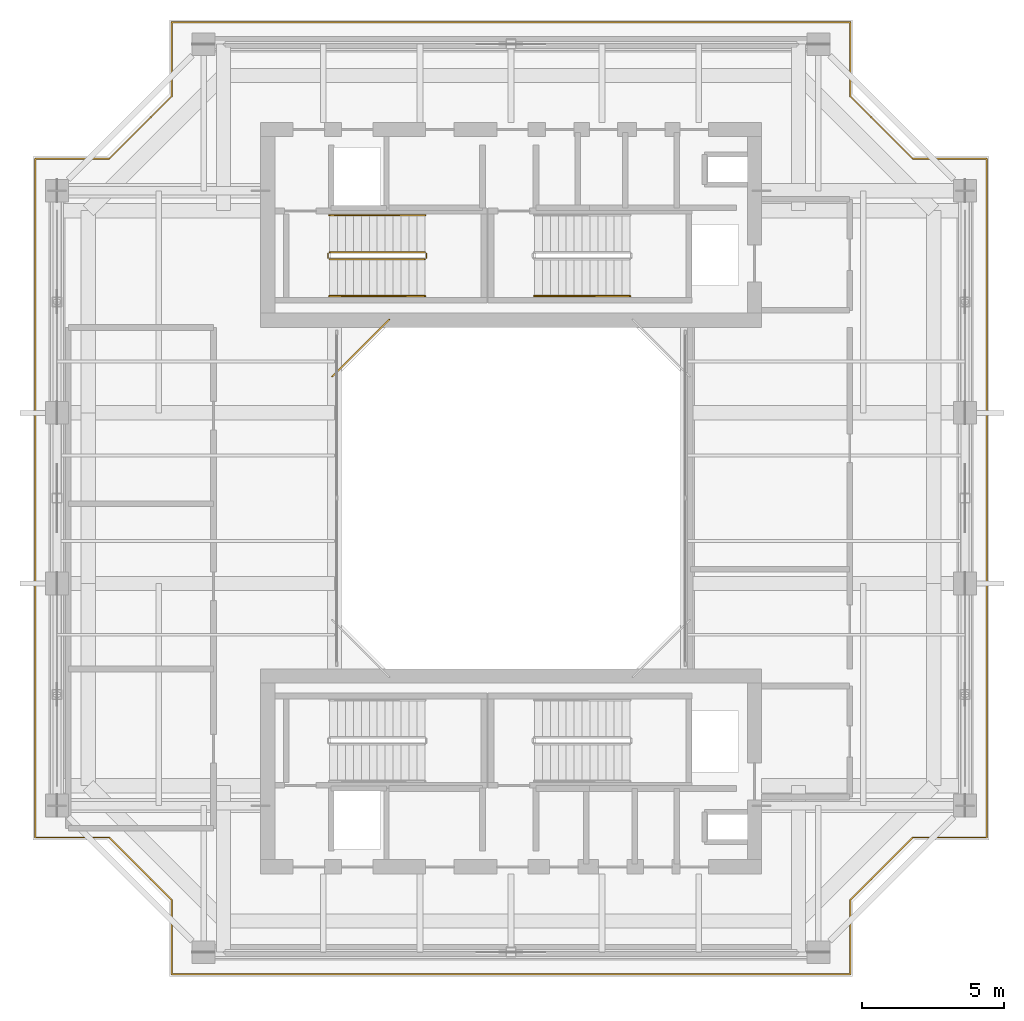
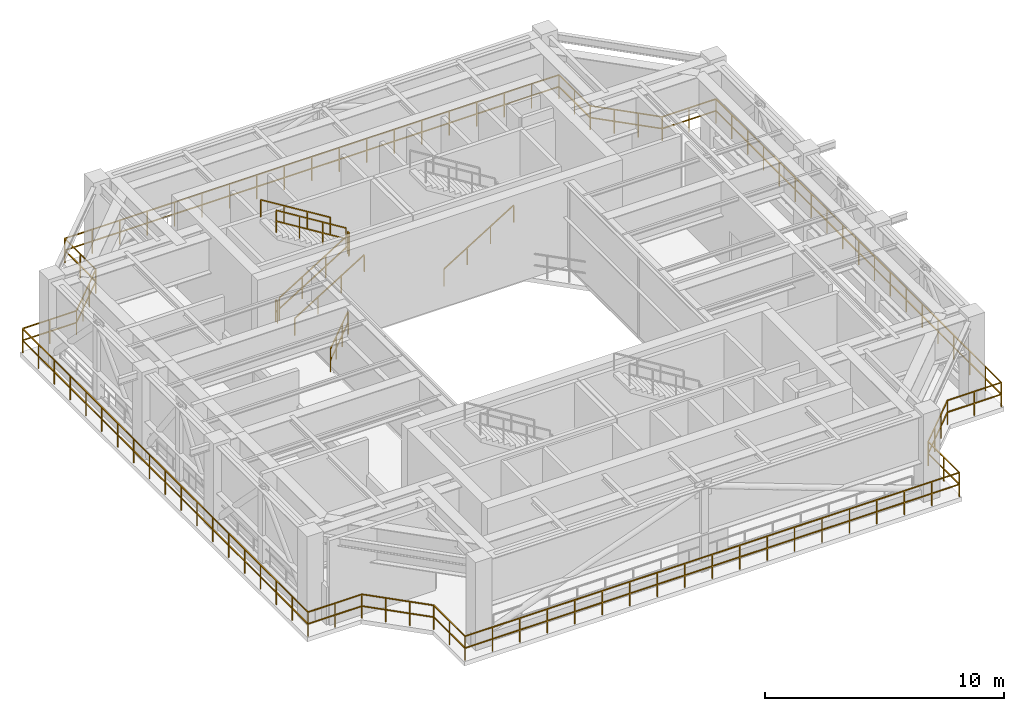
# One storey, part 9 of 10: 9 railings.
"""IFC4 building model written with IfcOpenShell, lengths in metres."""

from ifc_helpers import new_model, si_unit, direction, frame, origin, origin_2d, place, context, subcontext, project, spatial, rectangle, extrude, material, type_object, element, save


model = new_model("IFC4")

# Units and contexts
model_context = context("Model", 3, precision=1e-05, world=origin(), true_north=direction((0.0, 1.0)))
body_context = subcontext(model_context, "Body", "Model", "MODEL_VIEW")
ifc_project = project(units=[si_unit("LENGTHUNIT", "METRE"), si_unit("AREAUNIT", "SQUARE_METRE"), si_unit("VOLUMEUNIT", "CUBIC_METRE"), si_unit("PLANEANGLEUNIT", "RADIAN"), si_unit("MASSUNIT", "GRAM", prefix="KILO"), si_unit("THERMODYNAMICTEMPERATUREUNIT", "KELVIN"), si_unit("POWERUNIT", "WATT")], contexts=[model_context])

# Site, building, storey
site_placement = place(None, origin())
site = spatial("IfcSite", under=ifc_project, at=site_placement, CompositionType="ELEMENT")
building_placement = place(site_placement, origin())
building = spatial("IfcBuilding", under=site, at=building_placement, Name="Qiaomeng Ring Towers", CompositionType="ELEMENT")
storey_placement = place(building_placement, frame((0.0, 0.0, 232.75)))
storey = spatial("IfcBuildingStorey", under=building, at=storey_placement, Name="L68", CompositionType="ELEMENT", Elevation=232.75)

# Railings
ifc_material_1 = material(Name="Low-E pale-green laminated safety glass", Category="glass")
railing_type_1 = type_object("IfcRailingType", Name="ARC-RL-BAL1", PredefinedType="BALUSTRADE", material=ifc_material_1)
railing_1_placement = place(storey_placement, frame((14.719970703125, 29.280029296875, 0.0)))
element("IfcRailing", 1, at=railing_1_placement, inside=storey, type_object=railing_type_1, Name="L68 Balustrade ARC-BAL-WELL1-L68-3", PredefinedType="BALUSTRADE", context=body_context, shape_type="SweptSolid", body=[
    extrude(rectangle(XDim=0.048095703125, YDim=0.048095703125, at=origin_2d()), frame((0.0, 0.0, 1.17578125), z_axis=(-0.707106781187, -0.707106781187, 0.0), x_axis=(0.707106781187, -0.707106781187, 0.0)), (0.0, 0.0, 1.0), 2.828369140625),
    extrude(rectangle(XDim=0.048095703125, YDim=0.048095703125, at=origin_2d()), frame((0.0, 0.0, 0.60009765625), z_axis=(-0.707106781187, -0.707106781187, 0.0), x_axis=(0.707106781187, -0.707106781187, 0.0)), (0.0, 0.0, 1.0), 2.828369140625),
    extrude(rectangle(XDim=0.0419921875, YDim=0.0419921875, at=origin_2d()), origin(), (0.0, 0.0, 1.0), 1.15185546875),
    extrude(rectangle(XDim=0.0419921875, YDim=0.0419921875, at=origin_2d()), frame((-0.666748046875, -0.666748046875, 0.0)), (0.0, 0.0, 1.0), 1.15185546875),
    extrude(rectangle(XDim=0.0419921875, YDim=0.0419921875, at=origin_2d()), frame((-1.333251953125, -1.333251953125, 0.0)), (0.0, 0.0, 1.0), 1.15185546875),
    extrude(rectangle(XDim=0.0419921875, YDim=0.0419921875, at=origin_2d()), frame((-2.0, -2.0, 0.0)), (0.0, 0.0, 1.0), 1.15185546875),
])
ifc_material_2 = material(Name="Stainless steel 316", Category="steel")
railing_type_2 = type_object("IfcRailingType", Name="ARC-RL-BAL2", PredefinedType="BALUSTRADE", material=ifc_material_2)
railing_2_placement = place(storey_placement, frame((7.080078125, 6.280029296875, 0.0)))
element("IfcRailing", 2, at=railing_2_placement, inside=storey, type_object=railing_type_2, Name="L68 Balustrade ARC-BAL-REF-RING-L68", PredefinedType="BALUSTRADE", context=body_context, shape_type="SweptSolid", body=[
    extrude(rectangle(XDim=0.048095703125, YDim=0.048095703125, at=origin_2d()), frame((0.0, 0.0, 1.22607421875), z_axis=(1.0, 0.0, 0.0), x_axis=(0.0, 1.0, 0.0)), (0.0, 0.0, 1.0), 23.83984375),
    extrude(rectangle(XDim=0.048095703125, YDim=0.048095703125, at=origin_2d()), frame((0.0, 0.0, 0.625), z_axis=(1.0, 0.0, 0.0), x_axis=(0.0, 1.0, 0.0)), (0.0, 0.0, 1.0), 23.83984375),
    extrude(rectangle(XDim=0.048095703125, YDim=0.048095703125, at=origin_2d()), frame((23.83984375, 0.0, 1.22607421875), z_axis=(0.0, 1.0, 0.0), x_axis=(-1.0, 0.0, 0.0)), (0.0, 0.0, 1.0), 2.599853515625),
    extrude(rectangle(XDim=0.048095703125, YDim=0.048095703125, at=origin_2d()), frame((23.83984375, 0.0, 0.625), z_axis=(0.0, 1.0, 0.0), x_axis=(-1.0, 0.0, 0.0)), (0.0, 0.0, 1.0), 2.599853515625),
    extrude(rectangle(XDim=0.048095703125, YDim=0.048095703125, at=origin_2d()), frame((23.83984375, 2.599853515625, 1.22607421875), z_axis=(0.707106781187, 0.707106781187, 0.0), x_axis=(-0.707106781187, 0.707106781187, 0.0)), (0.0, 0.0, 1.0), 3.111572265625),
    extrude(rectangle(XDim=0.048095703125, YDim=0.048095703125, at=origin_2d()), frame((23.83984375, 2.599853515625, 0.625), z_axis=(0.707106781187, 0.707106781187, 0.0), x_axis=(-0.707106781187, 0.707106781187, 0.0)), (0.0, 0.0, 1.0), 3.111572265625),
    extrude(rectangle(XDim=0.048095703125, YDim=0.048095703125, at=origin_2d()), frame((26.0400390625, 4.800048828125, 1.22607421875), z_axis=(1.0, 0.0, 0.0), x_axis=(0.0, 1.0, 0.0)), (0.0, 0.0, 1.0), 2.599853515625),
    extrude(rectangle(XDim=0.048095703125, YDim=0.048095703125, at=origin_2d()), frame((26.0400390625, 4.800048828125, 0.625), z_axis=(1.0, 0.0, 0.0), x_axis=(0.0, 1.0, 0.0)), (0.0, 0.0, 1.0), 2.599853515625),
    extrude(rectangle(XDim=0.048095703125, YDim=0.048095703125, at=origin_2d()), frame((28.639892578125, 4.800048828125, 1.22607421875), z_axis=(0.0, 1.0, 0.0), x_axis=(-1.0, 0.0, 0.0)), (0.0, 0.0, 1.0), 23.83984375),
    extrude(rectangle(XDim=0.048095703125, YDim=0.048095703125, at=origin_2d()), frame((28.639892578125, 4.800048828125, 0.625), z_axis=(0.0, 1.0, 0.0), x_axis=(-1.0, 0.0, 0.0)), (0.0, 0.0, 1.0), 23.83984375),
    extrude(rectangle(XDim=0.048095703125, YDim=0.048095703125, at=origin_2d()), frame((28.639892578125, 28.639892578125, 1.22607421875), z_axis=(-1.0, 0.0, 0.0), x_axis=(0.0, -1.0, 0.0)), (0.0, 0.0, 1.0), 2.599853515625),
    extrude(rectangle(XDim=0.048095703125, YDim=0.048095703125, at=origin_2d()), frame((28.639892578125, 28.639892578125, 0.625), z_axis=(-1.0, 0.0, 0.0), x_axis=(0.0, -1.0, 0.0)), (0.0, 0.0, 1.0), 2.599853515625),
    extrude(rectangle(XDim=0.048095703125, YDim=0.048095703125, at=origin_2d()), frame((26.0400390625, 28.639892578125, 1.22607421875), z_axis=(-0.707106781187, 0.707106781187, 0.0), x_axis=(-0.707106781187, -0.707106781187, 0.0)), (0.0, 0.0, 1.0), 3.111572265625),
    extrude(rectangle(XDim=0.048095703125, YDim=0.048095703125, at=origin_2d()), frame((26.0400390625, 28.639892578125, 0.625), z_axis=(-0.707106781187, 0.707106781187, 0.0), x_axis=(-0.707106781187, -0.707106781187, 0.0)), (0.0, 0.0, 1.0), 3.111572265625),
    extrude(rectangle(XDim=0.048095703125, YDim=0.048095703125, at=origin_2d()), frame((23.83984375, 30.840087890625, 1.22607421875), z_axis=(0.0, 1.0, 0.0), x_axis=(-1.0, 0.0, 0.0)), (0.0, 0.0, 1.0), 2.599853515625),
    extrude(rectangle(XDim=0.048095703125, YDim=0.048095703125, at=origin_2d()), frame((23.83984375, 30.840087890625, 0.625), z_axis=(0.0, 1.0, 0.0), x_axis=(-1.0, 0.0, 0.0)), (0.0, 0.0, 1.0), 2.599853515625),
    extrude(rectangle(XDim=0.048095703125, YDim=0.048095703125, at=origin_2d()), frame((23.83984375, 33.43994140625, 1.22607421875), z_axis=(-1.0, 0.0, 0.0), x_axis=(0.0, -1.0, 0.0)), (0.0, 0.0, 1.0), 23.83984375),
    extrude(rectangle(XDim=0.048095703125, YDim=0.048095703125, at=origin_2d()), frame((23.83984375, 33.43994140625, 0.625), z_axis=(-1.0, 0.0, 0.0), x_axis=(0.0, -1.0, 0.0)), (0.0, 0.0, 1.0), 23.83984375),
    extrude(rectangle(XDim=0.048095703125, YDim=0.048095703125, at=origin_2d()), frame((0.0, 33.43994140625, 1.22607421875), z_axis=(0.0, -1.0, 0.0), x_axis=(1.0, 0.0, 0.0)), (0.0, 0.0, 1.0), 2.599853515625),
    extrude(rectangle(XDim=0.048095703125, YDim=0.048095703125, at=origin_2d()), frame((0.0, 33.43994140625, 0.625), z_axis=(0.0, -1.0, 0.0), x_axis=(1.0, 0.0, 0.0)), (0.0, 0.0, 1.0), 2.599853515625),
    extrude(rectangle(XDim=0.048095703125, YDim=0.048095703125, at=origin_2d()), frame((0.0, 30.840087890625, 1.22607421875), z_axis=(-0.707106781187, -0.707106781187, 0.0), x_axis=(0.707106781187, -0.707106781187, 0.0)), (0.0, 0.0, 1.0), 3.111572265625),
    extrude(rectangle(XDim=0.048095703125, YDim=0.048095703125, at=origin_2d()), frame((0.0, 30.840087890625, 0.625), z_axis=(-0.707106781187, -0.707106781187, 0.0), x_axis=(0.707106781187, -0.707106781187, 0.0)), (0.0, 0.0, 1.0), 3.111572265625),
    extrude(rectangle(XDim=0.048095703125, YDim=0.048095703125, at=origin_2d()), frame((-2.2001953125, 28.639892578125, 1.22607421875), z_axis=(-1.0, 0.0, 0.0), x_axis=(0.0, -1.0, 0.0)), (0.0, 0.0, 1.0), 2.599853515625),
    extrude(rectangle(XDim=0.048095703125, YDim=0.048095703125, at=origin_2d()), frame((-2.2001953125, 28.639892578125, 0.625), z_axis=(-1.0, 0.0, 0.0), x_axis=(0.0, -1.0, 0.0)), (0.0, 0.0, 1.0), 2.599853515625),
    extrude(rectangle(XDim=0.048095703125, YDim=0.048095703125, at=origin_2d()), frame((-4.800048828125, 28.639892578125, 1.22607421875), z_axis=(0.0, -1.0, 0.0), x_axis=(1.0, 0.0, 0.0)), (0.0, 0.0, 1.0), 23.83984375),
    extrude(rectangle(XDim=0.048095703125, YDim=0.048095703125, at=origin_2d()), frame((-4.800048828125, 28.639892578125, 0.625), z_axis=(0.0, -1.0, 0.0), x_axis=(1.0, 0.0, 0.0)), (0.0, 0.0, 1.0), 23.83984375),
    extrude(rectangle(XDim=0.048095703125, YDim=0.048095703125, at=origin_2d()), frame((-4.800048828125, 4.800048828125, 1.22607421875), z_axis=(1.0, 0.0, 0.0), x_axis=(0.0, 1.0, 0.0)), (0.0, 0.0, 1.0), 2.599853515625),
    extrude(rectangle(XDim=0.048095703125, YDim=0.048095703125, at=origin_2d()), frame((-4.800048828125, 4.800048828125, 0.625), z_axis=(1.0, 0.0, 0.0), x_axis=(0.0, 1.0, 0.0)), (0.0, 0.0, 1.0), 2.599853515625),
    extrude(rectangle(XDim=0.048095703125, YDim=0.048095703125, at=origin_2d()), frame((-2.2001953125, 4.800048828125, 1.22607421875), z_axis=(0.707106781187, -0.707106781187, 0.0), x_axis=(0.707106781187, 0.707106781187, 0.0)), (0.0, 0.0, 1.0), 3.111572265625),
    extrude(rectangle(XDim=0.048095703125, YDim=0.048095703125, at=origin_2d()), frame((-2.2001953125, 4.800048828125, 0.625), z_axis=(0.707106781187, -0.707106781187, 0.0), x_axis=(0.707106781187, 0.707106781187, 0.0)), (0.0, 0.0, 1.0), 3.111572265625),
    extrude(rectangle(XDim=0.048095703125, YDim=0.048095703125, at=origin_2d()), frame((0.0, 2.599853515625, 1.22607421875), z_axis=(0.0, -1.0, 0.0), x_axis=(1.0, 0.0, 0.0)), (0.0, 0.0, 1.0), 2.599853515625),
    extrude(rectangle(XDim=0.048095703125, YDim=0.048095703125, at=origin_2d()), frame((0.0, 2.599853515625, 0.625), z_axis=(0.0, -1.0, 0.0), x_axis=(1.0, 0.0, 0.0)), (0.0, 0.0, 1.0), 2.599853515625),
    extrude(rectangle(XDim=0.0419921875, YDim=0.0419921875, at=origin_2d()), origin(), (0.0, 0.0, 1.0), 1.201904296875),
    extrude(rectangle(XDim=0.0419921875, YDim=0.0419921875, at=origin_2d()), frame((1.324462890625, 0.0, 0.0)), (0.0, 0.0, 1.0), 1.201904296875),
    extrude(rectangle(XDim=0.0419921875, YDim=0.0419921875, at=origin_2d()), frame((2.64892578125, 0.0, 0.0)), (0.0, 0.0, 1.0), 1.201904296875),
    extrude(rectangle(XDim=0.0419921875, YDim=0.0419921875, at=origin_2d()), frame((3.973388671875, 0.0, 0.0)), (0.0, 0.0, 1.0), 1.201904296875),
    extrude(rectangle(XDim=0.0419921875, YDim=0.0419921875, at=origin_2d()), frame((5.2978515625, 0.0, 0.0)), (0.0, 0.0, 1.0), 1.201904296875),
    extrude(rectangle(XDim=0.0419921875, YDim=0.0419921875, at=origin_2d()), frame((6.6220703125, 0.0, 0.0)), (0.0, 0.0, 1.0), 1.201904296875),
    extrude(rectangle(XDim=0.0419921875, YDim=0.0419921875, at=origin_2d()), frame((7.946533203125, 0.0, 0.0)), (0.0, 0.0, 1.0), 1.201904296875),
    extrude(rectangle(XDim=0.0419921875, YDim=0.0419921875, at=origin_2d()), frame((9.27099609375, 0.0, 0.0)), (0.0, 0.0, 1.0), 1.201904296875),
    extrude(rectangle(XDim=0.0419921875, YDim=0.0419921875, at=origin_2d()), frame((10.595458984375, 0.0, 0.0)), (0.0, 0.0, 1.0), 1.201904296875),
    extrude(rectangle(XDim=0.0419921875, YDim=0.0419921875, at=origin_2d()), frame((11.919921875, 0.0, 0.0)), (0.0, 0.0, 1.0), 1.201904296875),
    extrude(rectangle(XDim=0.0419921875, YDim=0.0419921875, at=origin_2d()), frame((13.244384765625, 0.0, 0.0)), (0.0, 0.0, 1.0), 1.201904296875),
    extrude(rectangle(XDim=0.0419921875, YDim=0.0419921875, at=origin_2d()), frame((14.56884765625, 0.0, 0.0)), (0.0, 0.0, 1.0), 1.201904296875),
    extrude(rectangle(XDim=0.0419921875, YDim=0.0419921875, at=origin_2d()), frame((15.893310546875, 0.0, 0.0)), (0.0, 0.0, 1.0), 1.201904296875),
    extrude(rectangle(XDim=0.0419921875, YDim=0.0419921875, at=origin_2d()), frame((17.2177734375, 0.0, 0.0)), (0.0, 0.0, 1.0), 1.201904296875),
    extrude(rectangle(XDim=0.0419921875, YDim=0.0419921875, at=origin_2d()), frame((18.5419921875, 0.0, 0.0)), (0.0, 0.0, 1.0), 1.201904296875),
    extrude(rectangle(XDim=0.0419921875, YDim=0.0419921875, at=origin_2d()), frame((19.866455078125, 0.0, 0.0)), (0.0, 0.0, 1.0), 1.201904296875),
    extrude(rectangle(XDim=0.0419921875, YDim=0.0419921875, at=origin_2d()), frame((21.19091796875, 0.0, 0.0)), (0.0, 0.0, 1.0), 1.201904296875),
    extrude(rectangle(XDim=0.0419921875, YDim=0.0419921875, at=origin_2d()), frame((22.515380859375, 0.0, 0.0)), (0.0, 0.0, 1.0), 1.201904296875),
    extrude(rectangle(XDim=0.0419921875, YDim=0.0419921875, at=origin_2d()), frame((23.83984375, 0.0, 0.0)), (0.0, 0.0, 1.0), 1.201904296875),
    extrude(rectangle(XDim=0.0419921875, YDim=0.0419921875, at=origin_2d()), frame((23.83984375, 1.2998046875, 0.0)), (0.0, 0.0, 1.0), 1.201904296875),
    extrude(rectangle(XDim=0.0419921875, YDim=0.0419921875, at=origin_2d()), frame((23.83984375, 2.599853515625, 0.0)), (0.0, 0.0, 1.0), 1.201904296875),
    extrude(rectangle(XDim=0.0419921875, YDim=0.0419921875, at=origin_2d()), frame((24.5732421875, 3.333251953125, 0.0)), (0.0, 0.0, 1.0), 1.201904296875),
    extrude(rectangle(XDim=0.0419921875, YDim=0.0419921875, at=origin_2d()), frame((25.306640625, 4.066650390625, 0.0)), (0.0, 0.0, 1.0), 1.201904296875),
    extrude(rectangle(XDim=0.0419921875, YDim=0.0419921875, at=origin_2d()), frame((26.0400390625, 4.800048828125, 0.0)), (0.0, 0.0, 1.0), 1.201904296875),
    extrude(rectangle(XDim=0.0419921875, YDim=0.0419921875, at=origin_2d()), frame((27.33984375, 4.800048828125, 0.0)), (0.0, 0.0, 1.0), 1.201904296875),
    extrude(rectangle(XDim=0.0419921875, YDim=0.0419921875, at=origin_2d()), frame((28.639892578125, 4.800048828125, 0.0)), (0.0, 0.0, 1.0), 1.201904296875),
    extrude(rectangle(XDim=0.0419921875, YDim=0.0419921875, at=origin_2d()), frame((28.639892578125, 6.12451171875, 0.0)), (0.0, 0.0, 1.0), 1.201904296875),
    extrude(rectangle(XDim=0.0419921875, YDim=0.0419921875, at=origin_2d()), frame((28.639892578125, 7.448974609375, 0.0)), (0.0, 0.0, 1.0), 1.201904296875),
    extrude(rectangle(XDim=0.0419921875, YDim=0.0419921875, at=origin_2d()), frame((28.639892578125, 8.7734375, 0.0)), (0.0, 0.0, 1.0), 1.201904296875),
    extrude(rectangle(XDim=0.0419921875, YDim=0.0419921875, at=origin_2d()), frame((28.639892578125, 10.097900390625, 0.0)), (0.0, 0.0, 1.0), 1.201904296875),
    extrude(rectangle(XDim=0.0419921875, YDim=0.0419921875, at=origin_2d()), frame((28.639892578125, 11.422119140625, 0.0)), (0.0, 0.0, 1.0), 1.201904296875),
    extrude(rectangle(XDim=0.0419921875, YDim=0.0419921875, at=origin_2d()), frame((28.639892578125, 12.74658203125, 0.0)), (0.0, 0.0, 1.0), 1.201904296875),
    extrude(rectangle(XDim=0.0419921875, YDim=0.0419921875, at=origin_2d()), frame((28.639892578125, 14.071044921875, 0.0)), (0.0, 0.0, 1.0), 1.201904296875),
    extrude(rectangle(XDim=0.0419921875, YDim=0.0419921875, at=origin_2d()), frame((28.639892578125, 15.3955078125, 0.0)), (0.0, 0.0, 1.0), 1.201904296875),
    extrude(rectangle(XDim=0.0419921875, YDim=0.0419921875, at=origin_2d()), frame((28.639892578125, 16.719970703125, 0.0)), (0.0, 0.0, 1.0), 1.201904296875),
    extrude(rectangle(XDim=0.0419921875, YDim=0.0419921875, at=origin_2d()), frame((28.639892578125, 18.04443359375, 0.0)), (0.0, 0.0, 1.0), 1.201904296875),
    extrude(rectangle(XDim=0.0419921875, YDim=0.0419921875, at=origin_2d()), frame((28.639892578125, 19.368896484375, 0.0)), (0.0, 0.0, 1.0), 1.201904296875),
    extrude(rectangle(XDim=0.0419921875, YDim=0.0419921875, at=origin_2d()), frame((28.639892578125, 20.693359375, 0.0)), (0.0, 0.0, 1.0), 1.201904296875),
    extrude(rectangle(XDim=0.0419921875, YDim=0.0419921875, at=origin_2d()), frame((28.639892578125, 22.017822265625, 0.0)), (0.0, 0.0, 1.0), 1.201904296875),
    extrude(rectangle(XDim=0.0419921875, YDim=0.0419921875, at=origin_2d()), frame((28.639892578125, 23.342041015625, 0.0)), (0.0, 0.0, 1.0), 1.201904296875),
    extrude(rectangle(XDim=0.0419921875, YDim=0.0419921875, at=origin_2d()), frame((28.639892578125, 24.66650390625, 0.0)), (0.0, 0.0, 1.0), 1.201904296875),
    extrude(rectangle(XDim=0.0419921875, YDim=0.0419921875, at=origin_2d()), frame((28.639892578125, 25.990966796875, 0.0)), (0.0, 0.0, 1.0), 1.201904296875),
    extrude(rectangle(XDim=0.0419921875, YDim=0.0419921875, at=origin_2d()), frame((28.639892578125, 27.3154296875, 0.0)), (0.0, 0.0, 1.0), 1.201904296875),
    extrude(rectangle(XDim=0.0419921875, YDim=0.0419921875, at=origin_2d()), frame((28.639892578125, 28.639892578125, 0.0)), (0.0, 0.0, 1.0), 1.201904296875),
    extrude(rectangle(XDim=0.0419921875, YDim=0.0419921875, at=origin_2d()), frame((27.33984375, 28.639892578125, 0.0)), (0.0, 0.0, 1.0), 1.201904296875),
    extrude(rectangle(XDim=0.0419921875, YDim=0.0419921875, at=origin_2d()), frame((26.0400390625, 28.639892578125, 0.0)), (0.0, 0.0, 1.0), 1.201904296875),
    extrude(rectangle(XDim=0.0419921875, YDim=0.0419921875, at=origin_2d()), frame((25.306640625, 29.373291015625, 0.0)), (0.0, 0.0, 1.0), 1.201904296875),
    extrude(rectangle(XDim=0.0419921875, YDim=0.0419921875, at=origin_2d()), frame((24.5732421875, 30.106689453125, 0.0)), (0.0, 0.0, 1.0), 1.201904296875),
    extrude(rectangle(XDim=0.0419921875, YDim=0.0419921875, at=origin_2d()), frame((23.83984375, 30.840087890625, 0.0)), (0.0, 0.0, 1.0), 1.201904296875),
    extrude(rectangle(XDim=0.0419921875, YDim=0.0419921875, at=origin_2d()), frame((23.83984375, 32.14013671875, 0.0)), (0.0, 0.0, 1.0), 1.201904296875),
    extrude(rectangle(XDim=0.0419921875, YDim=0.0419921875, at=origin_2d()), frame((23.83984375, 33.43994140625, 0.0)), (0.0, 0.0, 1.0), 1.201904296875),
    extrude(rectangle(XDim=0.0419921875, YDim=0.0419921875, at=origin_2d()), frame((22.515380859375, 33.43994140625, 0.0)), (0.0, 0.0, 1.0), 1.201904296875),
    extrude(rectangle(XDim=0.0419921875, YDim=0.0419921875, at=origin_2d()), frame((21.19091796875, 33.43994140625, 0.0)), (0.0, 0.0, 1.0), 1.201904296875),
    extrude(rectangle(XDim=0.0419921875, YDim=0.0419921875, at=origin_2d()), frame((19.866455078125, 33.43994140625, 0.0)), (0.0, 0.0, 1.0), 1.201904296875),
    extrude(rectangle(XDim=0.0419921875, YDim=0.0419921875, at=origin_2d()), frame((18.5419921875, 33.43994140625, 0.0)), (0.0, 0.0, 1.0), 1.201904296875),
    extrude(rectangle(XDim=0.0419921875, YDim=0.0419921875, at=origin_2d()), frame((17.2177734375, 33.43994140625, 0.0)), (0.0, 0.0, 1.0), 1.201904296875),
    extrude(rectangle(XDim=0.0419921875, YDim=0.0419921875, at=origin_2d()), frame((15.893310546875, 33.43994140625, 0.0)), (0.0, 0.0, 1.0), 1.201904296875),
    extrude(rectangle(XDim=0.0419921875, YDim=0.0419921875, at=origin_2d()), frame((14.56884765625, 33.43994140625, 0.0)), (0.0, 0.0, 1.0), 1.201904296875),
    extrude(rectangle(XDim=0.0419921875, YDim=0.0419921875, at=origin_2d()), frame((13.244384765625, 33.43994140625, 0.0)), (0.0, 0.0, 1.0), 1.201904296875),
    extrude(rectangle(XDim=0.0419921875, YDim=0.0419921875, at=origin_2d()), frame((11.919921875, 33.43994140625, 0.0)), (0.0, 0.0, 1.0), 1.201904296875),
    extrude(rectangle(XDim=0.0419921875, YDim=0.0419921875, at=origin_2d()), frame((10.595458984375, 33.43994140625, 0.0)), (0.0, 0.0, 1.0), 1.201904296875),
    extrude(rectangle(XDim=0.0419921875, YDim=0.0419921875, at=origin_2d()), frame((9.27099609375, 33.43994140625, 0.0)), (0.0, 0.0, 1.0), 1.201904296875),
    extrude(rectangle(XDim=0.0419921875, YDim=0.0419921875, at=origin_2d()), frame((7.946533203125, 33.43994140625, 0.0)), (0.0, 0.0, 1.0), 1.201904296875),
    extrude(rectangle(XDim=0.0419921875, YDim=0.0419921875, at=origin_2d()), frame((6.6220703125, 33.43994140625, 0.0)), (0.0, 0.0, 1.0), 1.201904296875),
    extrude(rectangle(XDim=0.0419921875, YDim=0.0419921875, at=origin_2d()), frame((5.2978515625, 33.43994140625, 0.0)), (0.0, 0.0, 1.0), 1.201904296875),
    extrude(rectangle(XDim=0.0419921875, YDim=0.0419921875, at=origin_2d()), frame((3.973388671875, 33.43994140625, 0.0)), (0.0, 0.0, 1.0), 1.201904296875),
    extrude(rectangle(XDim=0.0419921875, YDim=0.0419921875, at=origin_2d()), frame((2.64892578125, 33.43994140625, 0.0)), (0.0, 0.0, 1.0), 1.201904296875),
    extrude(rectangle(XDim=0.0419921875, YDim=0.0419921875, at=origin_2d()), frame((1.324462890625, 33.43994140625, 0.0)), (0.0, 0.0, 1.0), 1.201904296875),
    extrude(rectangle(XDim=0.0419921875, YDim=0.0419921875, at=origin_2d()), frame((0.0, 33.43994140625, 0.0)), (0.0, 0.0, 1.0), 1.201904296875),
    extrude(rectangle(XDim=0.0419921875, YDim=0.0419921875, at=origin_2d()), frame((0.0, 32.14013671875, 0.0)), (0.0, 0.0, 1.0), 1.201904296875),
    extrude(rectangle(XDim=0.0419921875, YDim=0.0419921875, at=origin_2d()), frame((0.0, 30.840087890625, 0.0)), (0.0, 0.0, 1.0), 1.201904296875),
    extrude(rectangle(XDim=0.0419921875, YDim=0.0419921875, at=origin_2d()), frame((-0.7333984375, 30.106689453125, 0.0)), (0.0, 0.0, 1.0), 1.201904296875),
    extrude(rectangle(XDim=0.0419921875, YDim=0.0419921875, at=origin_2d()), frame((-1.466796875, 29.373291015625, 0.0)), (0.0, 0.0, 1.0), 1.201904296875),
    extrude(rectangle(XDim=0.0419921875, YDim=0.0419921875, at=origin_2d()), frame((-2.2001953125, 28.639892578125, 0.0)), (0.0, 0.0, 1.0), 1.201904296875),
    extrude(rectangle(XDim=0.0419921875, YDim=0.0419921875, at=origin_2d()), frame((-3.5, 28.639892578125, 0.0)), (0.0, 0.0, 1.0), 1.201904296875),
    extrude(rectangle(XDim=0.0419921875, YDim=0.0419921875, at=origin_2d()), frame((-4.800048828125, 28.639892578125, 0.0)), (0.0, 0.0, 1.0), 1.201904296875),
    extrude(rectangle(XDim=0.0419921875, YDim=0.0419921875, at=origin_2d()), frame((-4.800048828125, 27.3154296875, 0.0)), (0.0, 0.0, 1.0), 1.201904296875),
    extrude(rectangle(XDim=0.0419921875, YDim=0.0419921875, at=origin_2d()), frame((-4.800048828125, 25.990966796875, 0.0)), (0.0, 0.0, 1.0), 1.201904296875),
    extrude(rectangle(XDim=0.0419921875, YDim=0.0419921875, at=origin_2d()), frame((-4.800048828125, 24.66650390625, 0.0)), (0.0, 0.0, 1.0), 1.201904296875),
    extrude(rectangle(XDim=0.0419921875, YDim=0.0419921875, at=origin_2d()), frame((-4.800048828125, 23.342041015625, 0.0)), (0.0, 0.0, 1.0), 1.201904296875),
    extrude(rectangle(XDim=0.0419921875, YDim=0.0419921875, at=origin_2d()), frame((-4.800048828125, 22.017822265625, 0.0)), (0.0, 0.0, 1.0), 1.201904296875),
    extrude(rectangle(XDim=0.0419921875, YDim=0.0419921875, at=origin_2d()), frame((-4.800048828125, 20.693359375, 0.0)), (0.0, 0.0, 1.0), 1.201904296875),
    extrude(rectangle(XDim=0.0419921875, YDim=0.0419921875, at=origin_2d()), frame((-4.800048828125, 19.368896484375, 0.0)), (0.0, 0.0, 1.0), 1.201904296875),
    extrude(rectangle(XDim=0.0419921875, YDim=0.0419921875, at=origin_2d()), frame((-4.800048828125, 18.04443359375, 0.0)), (0.0, 0.0, 1.0), 1.201904296875),
    extrude(rectangle(XDim=0.0419921875, YDim=0.0419921875, at=origin_2d()), frame((-4.800048828125, 16.719970703125, 0.0)), (0.0, 0.0, 1.0), 1.201904296875),
    extrude(rectangle(XDim=0.0419921875, YDim=0.0419921875, at=origin_2d()), frame((-4.800048828125, 15.3955078125, 0.0)), (0.0, 0.0, 1.0), 1.201904296875),
    extrude(rectangle(XDim=0.0419921875, YDim=0.0419921875, at=origin_2d()), frame((-4.800048828125, 14.071044921875, 0.0)), (0.0, 0.0, 1.0), 1.201904296875),
    extrude(rectangle(XDim=0.0419921875, YDim=0.0419921875, at=origin_2d()), frame((-4.800048828125, 12.74658203125, 0.0)), (0.0, 0.0, 1.0), 1.201904296875),
    extrude(rectangle(XDim=0.0419921875, YDim=0.0419921875, at=origin_2d()), frame((-4.800048828125, 11.422119140625, 0.0)), (0.0, 0.0, 1.0), 1.201904296875),
    extrude(rectangle(XDim=0.0419921875, YDim=0.0419921875, at=origin_2d()), frame((-4.800048828125, 10.097900390625, 0.0)), (0.0, 0.0, 1.0), 1.201904296875),
    extrude(rectangle(XDim=0.0419921875, YDim=0.0419921875, at=origin_2d()), frame((-4.800048828125, 8.7734375, 0.0)), (0.0, 0.0, 1.0), 1.201904296875),
    extrude(rectangle(XDim=0.0419921875, YDim=0.0419921875, at=origin_2d()), frame((-4.800048828125, 7.448974609375, 0.0)), (0.0, 0.0, 1.0), 1.201904296875),
    extrude(rectangle(XDim=0.0419921875, YDim=0.0419921875, at=origin_2d()), frame((-4.800048828125, 6.12451171875, 0.0)), (0.0, 0.0, 1.0), 1.201904296875),
    extrude(rectangle(XDim=0.0419921875, YDim=0.0419921875, at=origin_2d()), frame((-4.800048828125, 4.800048828125, 0.0)), (0.0, 0.0, 1.0), 1.201904296875),
    extrude(rectangle(XDim=0.0419921875, YDim=0.0419921875, at=origin_2d()), frame((-3.5, 4.800048828125, 0.0)), (0.0, 0.0, 1.0), 1.201904296875),
    extrude(rectangle(XDim=0.0419921875, YDim=0.0419921875, at=origin_2d()), frame((-2.2001953125, 4.800048828125, 0.0)), (0.0, 0.0, 1.0), 1.201904296875),
    extrude(rectangle(XDim=0.0419921875, YDim=0.0419921875, at=origin_2d()), frame((-1.466796875, 4.066650390625, 0.0)), (0.0, 0.0, 1.0), 1.201904296875),
    extrude(rectangle(XDim=0.0419921875, YDim=0.0419921875, at=origin_2d()), frame((-0.7333984375, 3.333251953125, 0.0)), (0.0, 0.0, 1.0), 1.201904296875),
    extrude(rectangle(XDim=0.0419921875, YDim=0.0419921875, at=origin_2d()), frame((0.0, 2.599853515625, 0.0)), (0.0, 0.0, 1.0), 1.201904296875),
    extrude(rectangle(XDim=0.0419921875, YDim=0.0419921875, at=origin_2d()), frame((0.0, 1.2998046875, 0.0)), (0.0, 0.0, 1.0), 1.201904296875),
])
ifc_material_3 = material(Name="Galvanised steel", Category="steel")
railing_type_3 = type_object("IfcRailingType", Name="ARC-RL-GUARD", PredefinedType="GUARDRAIL", material=ifc_material_3)
railing_3_placement = place(storey_placement, frame((12.6201171875, 31.39990234375, 0.173095703125)))
element("IfcRailing", 3, at=railing_3_placement, inside=storey, type_object=railing_type_3, Name="L68 ST1 stair guard 1", PredefinedType="GUARDRAIL", context=body_context, shape_type="SweptSolid", body=[
    extrude(rectangle(XDim=0.048095703125, YDim=0.048095703125, at=origin_2d()), frame((0.0, 0.0, 1.1259765625), z_axis=(0.850606129759, 0.0, 0.525803396734), x_axis=(0.0, 1.0, 0.0)), (0.0, 0.0, 1.0), 3.949951171875),
    extrude(rectangle(XDim=0.048095703125, YDim=0.048095703125, at=origin_2d()), frame((0.0, 0.0, 0.574951171875), z_axis=(0.850606129759, 0.0, 0.525803396734), x_axis=(0.0, 1.0, 0.0)), (0.0, 0.0, 1.0), 3.949951171875),
    extrude(rectangle(XDim=0.0419921875, YDim=0.0419921875, at=origin_2d()), origin(), (0.0, 0.0, 1.0), 1.101806640625),
    extrude(rectangle(XDim=0.0419921875, YDim=0.0419921875, at=origin_2d()), frame((1.119873046875, 0.0, 0.6923828125)), (0.0, 0.0, 1.0), 1.101806640625),
    extrude(rectangle(XDim=0.0419921875, YDim=0.0419921875, at=origin_2d()), frame((2.239990234375, 0.0, 1.384521484375)), (0.0, 0.0, 1.0), 1.101806640625),
    extrude(rectangle(XDim=0.0419921875, YDim=0.0419921875, at=origin_2d()), frame((3.35986328125, 0.0, 2.076904296875)), (0.0, 0.0, 1.0), 1.101806640625),
])
railing_4_placement = place(storey_placement, frame((16.030029296875, 31.449951171875, 2.25)))
element("IfcRailing", 4, at=railing_4_placement, inside=storey, type_object=railing_type_3, Name="L68 ST1 stair guard 2", PredefinedType="GUARDRAIL", context=body_context, shape_type="SweptSolid", body=[
    extrude(rectangle(XDim=0.048095703125, YDim=0.048095703125, at=origin_2d()), frame((0.0, 0.0, 1.1259765625), z_axis=(0.0, 1.0, 0.0), x_axis=(-1.0, 0.0, 0.0)), (0.0, 0.0, 1.0), 0.14013671875),
    extrude(rectangle(XDim=0.048095703125, YDim=0.048095703125, at=origin_2d()), frame((0.0, 0.0, 0.574951171875), z_axis=(0.0, 1.0, 0.0), x_axis=(-1.0, 0.0, 0.0)), (0.0, 0.0, 1.0), 0.14013671875),
    extrude(rectangle(XDim=0.0419921875, YDim=0.0419921875, at=origin_2d()), origin(), (0.0, 0.0, 1.0), 1.101806640625),
    extrude(rectangle(XDim=0.0419921875, YDim=0.0419921875, at=origin_2d()), frame((0.0, 0.14013671875, 0.0)), (0.0, 0.0, 1.0), 1.101806640625),
])
railing_5_placement = place(storey_placement, frame((15.97998046875, 31.639892578125, 2.423095703125)))
element("IfcRailing", 5, at=railing_5_placement, inside=storey, type_object=railing_type_3, Name="L68 ST1 stair guard 3", PredefinedType="GUARDRAIL", context=body_context, shape_type="SweptSolid", body=[
    extrude(rectangle(XDim=0.048095703125, YDim=0.048095703125, at=origin_2d()), frame((0.0, 0.0, 1.1259765625), z_axis=(-0.850606129759, 0.0, 0.525803396734), x_axis=(0.0, -1.0, 0.0)), (0.0, 0.0, 1.0), 3.949951171875),
    extrude(rectangle(XDim=0.048095703125, YDim=0.048095703125, at=origin_2d()), frame((0.0, 0.0, 0.574951171875), z_axis=(-0.850606129759, 0.0, 0.525803396734), x_axis=(0.0, -1.0, 0.0)), (0.0, 0.0, 1.0), 3.949951171875),
    extrude(rectangle(XDim=0.0419921875, YDim=0.0419921875, at=origin_2d()), origin(), (0.0, 0.0, 1.0), 1.101806640625),
    extrude(rectangle(XDim=0.0419921875, YDim=0.0419921875, at=origin_2d()), frame((-1.119873046875, 0.0, 0.6923828125)), (0.0, 0.0, 1.0), 1.101806640625),
    extrude(rectangle(XDim=0.0419921875, YDim=0.0419921875, at=origin_2d()), frame((-2.239990234375, 0.0, 1.384521484375)), (0.0, 0.0, 1.0), 1.101806640625),
    extrude(rectangle(XDim=0.0419921875, YDim=0.0419921875, at=origin_2d()), frame((-3.35986328125, 0.0, 2.076904296875)), (0.0, 0.0, 1.0), 1.101806640625),
])
railing_6_placement = place(storey_placement, frame((12.570068359375, 31.449951171875, 0.0)))
element("IfcRailing", 6, at=railing_6_placement, inside=storey, type_object=railing_type_3, Name="L68 ST1 stair guard 4", PredefinedType="GUARDRAIL", context=body_context, shape_type="SweptSolid", body=[
    extrude(rectangle(XDim=0.048095703125, YDim=0.048095703125, at=origin_2d()), frame((0.0, 0.0, 1.1259765625), z_axis=(0.0, 1.0, 0.0), x_axis=(-1.0, 0.0, 0.0)), (0.0, 0.0, 1.0), 0.14013671875),
    extrude(rectangle(XDim=0.048095703125, YDim=0.048095703125, at=origin_2d()), frame((0.0, 0.0, 0.574951171875), z_axis=(0.0, 1.0, 0.0), x_axis=(-1.0, 0.0, 0.0)), (0.0, 0.0, 1.0), 0.14013671875),
    extrude(rectangle(XDim=0.0419921875, YDim=0.0419921875, at=origin_2d()), origin(), (0.0, 0.0, 1.0), 1.101806640625),
    extrude(rectangle(XDim=0.0419921875, YDim=0.0419921875, at=origin_2d()), frame((0.0, 0.14013671875, 0.0)), (0.0, 0.0, 1.0), 1.101806640625),
])
railing_type_4 = type_object("IfcRailingType", Name="ARC-RL-HAND", PredefinedType="HANDRAIL", material=ifc_material_2)
railing_7_placement = place(storey_placement, frame((12.6201171875, 30.10009765625, 0.173095703125)))
element("IfcRailing", 7, at=railing_7_placement, inside=storey, type_object=railing_type_4, Name="L68 ST1 stair handrail 1", PredefinedType="HANDRAIL", context=body_context, shape_type="SweptSolid", body=[
    extrude(rectangle(XDim=0.048095703125, YDim=0.048095703125, at=origin_2d()), frame((0.0, 0.0, 0.8759765625), z_axis=(0.850606129759, 0.0, 0.525803396734), x_axis=(0.0, 1.0, 0.0)), (0.0, 0.0, 1.0), 3.949951171875),
    extrude(rectangle(XDim=0.0419921875, YDim=0.0419921875, at=origin_2d()), origin(), (0.0, 0.0, 1.0), 0.851806640625),
    extrude(rectangle(XDim=0.0419921875, YDim=0.0419921875, at=origin_2d()), frame((1.119873046875, 0.0, 0.6923828125)), (0.0, 0.0, 1.0), 0.851806640625),
    extrude(rectangle(XDim=0.0419921875, YDim=0.0419921875, at=origin_2d()), frame((2.239990234375, 0.0, 1.384521484375)), (0.0, 0.0, 1.0), 0.851806640625),
    extrude(rectangle(XDim=0.0419921875, YDim=0.0419921875, at=origin_2d()), frame((3.35986328125, 0.0, 2.076904296875)), (0.0, 0.0, 1.0), 0.851806640625),
])
railing_8_placement = place(storey_placement, frame((15.97998046875, 32.93994140625, 2.423095703125)))
element("IfcRailing", 8, at=railing_8_placement, inside=storey, type_object=railing_type_4, Name="L68 ST1 stair handrail 2", PredefinedType="HANDRAIL", context=body_context, shape_type="SweptSolid", body=[
    extrude(rectangle(XDim=0.048095703125, YDim=0.048095703125, at=origin_2d()), frame((0.0, 0.0, 0.8759765625), z_axis=(-0.850606129759, 0.0, 0.525803396734), x_axis=(0.0, -1.0, 0.0)), (0.0, 0.0, 1.0), 3.949951171875),
    extrude(rectangle(XDim=0.0419921875, YDim=0.0419921875, at=origin_2d()), origin(), (0.0, 0.0, 1.0), 0.851806640625),
    extrude(rectangle(XDim=0.0419921875, YDim=0.0419921875, at=origin_2d()), frame((-1.119873046875, 0.0, 0.6923828125)), (0.0, 0.0, 1.0), 0.851806640625),
    extrude(rectangle(XDim=0.0419921875, YDim=0.0419921875, at=origin_2d()), frame((-2.239990234375, 0.0, 1.384521484375)), (0.0, 0.0, 1.0), 0.851806640625),
    extrude(rectangle(XDim=0.0419921875, YDim=0.0419921875, at=origin_2d()), frame((-3.35986328125, 0.0, 2.076904296875)), (0.0, 0.0, 1.0), 0.851806640625),
])
railing_9_placement = place(storey_placement, frame((19.820068359375, 30.10009765625, 0.173095703125)))
element("IfcRailing", 9, at=railing_9_placement, inside=storey, type_object=railing_type_4, Name="L68 ST2 stair handrail 1", PredefinedType="HANDRAIL", context=body_context, shape_type="SweptSolid", body=[
    extrude(rectangle(XDim=0.048095703125, YDim=0.048095703125, at=origin_2d()), frame((0.0, 0.0, 0.8759765625), z_axis=(0.850606129759, 0.0, 0.525803396734), x_axis=(0.0, 1.0, 0.0)), (0.0, 0.0, 1.0), 3.949951171875),
    extrude(rectangle(XDim=0.0419921875, YDim=0.0419921875, at=origin_2d()), origin(), (0.0, 0.0, 1.0), 0.851806640625),
    extrude(rectangle(XDim=0.0419921875, YDim=0.0419921875, at=origin_2d()), frame((1.119873046875, 0.0, 0.6923828125)), (0.0, 0.0, 1.0), 0.851806640625),
    extrude(rectangle(XDim=0.0419921875, YDim=0.0419921875, at=origin_2d()), frame((2.239990234375, 0.0, 1.384521484375)), (0.0, 0.0, 1.0), 0.851806640625),
    extrude(rectangle(XDim=0.0419921875, YDim=0.0419921875, at=origin_2d()), frame((3.35986328125, 0.0, 2.076904296875)), (0.0, 0.0, 1.0), 0.851806640625),
])

save(model, "model.ifc")
